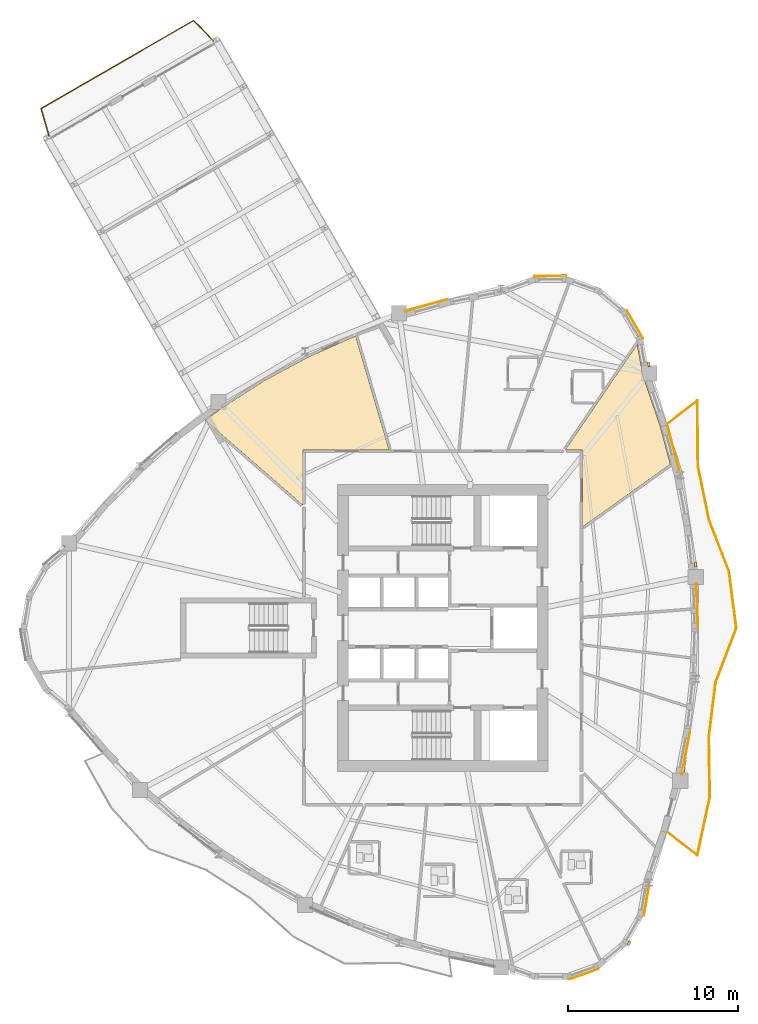
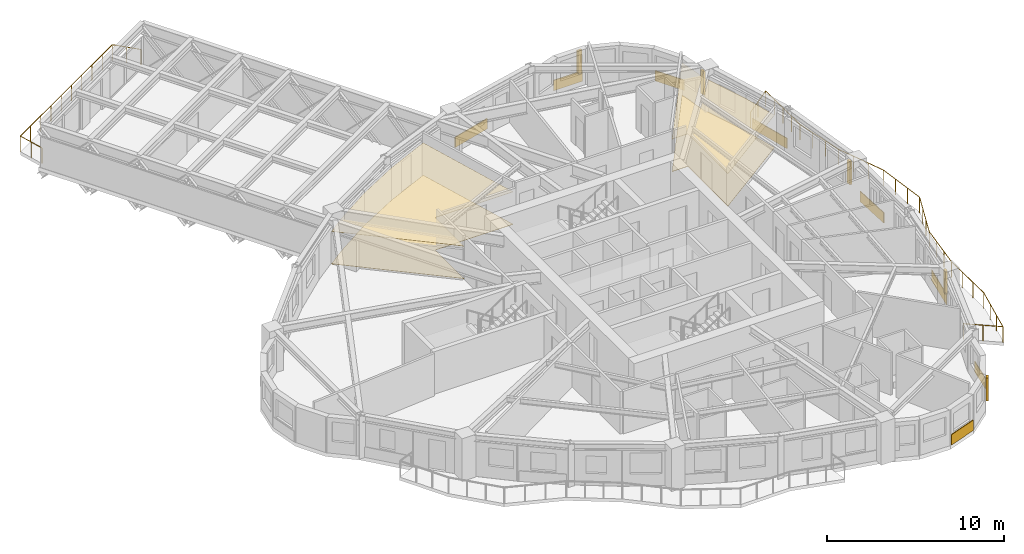
# One storey, part 13 of 14: 12 coverings, 5 shading devices, 2 railings.
"""IFC4 building model written with IfcOpenShell, lengths in metres."""

from ifc_helpers import new_model, si_unit, direction, frame, origin, origin_2d, place, context, subcontext, project, spatial, polyline, rectangle, circle, outline, extrude, source, transform, mapped, material, layer, layer_set, type_object, element, save


model = new_model("IFC4")

# Units and contexts
model_context = context("Model", 3, precision=1e-05, world=origin(), true_north=direction((0.0, 1.0)))
body_context = subcontext(model_context, "Body", "Model", "MODEL_VIEW")
ifc_project = project(units=[si_unit("LENGTHUNIT", "METRE"), si_unit("AREAUNIT", "SQUARE_METRE"), si_unit("VOLUMEUNIT", "CUBIC_METRE"), si_unit("PLANEANGLEUNIT", "RADIAN"), si_unit("MASSUNIT", "GRAM", prefix="KILO")], contexts=[model_context])

# Site, building, storey
site_placement = place(None, origin())
site = spatial("IfcSite", under=ifc_project, at=site_placement, CompositionType="ELEMENT")
building_placement = place(site_placement, origin())
building = spatial("IfcBuilding", under=site, at=building_placement, Name="Qafzar Sky-Pleat Residences", CompositionType="ELEMENT")
storey_placement = place(building_placement, frame((0.0, 0.0, 83.199951171875)))
storey = spatial("IfcBuildingStorey", under=building, at=storey_placement, Name="L24", CompositionType="ELEMENT", Elevation=83.199951171875)

# Coverings
ifc_material_1 = material(Name="Perforated acoustic gypsum board ceiling")
ifc_layer_1 = layer(ifc_material_1, 0.02001953125)
ifc_layer_set_1 = layer_set([ifc_layer_1], Name="Perforated acoustic gypsum board ceiling")
covering_type_1 = type_object("IfcCoveringType", Name="COV-CEIL-ACOUSTIC", PredefinedType="CEILING", material=ifc_layer_set_1)
covering_1_placement = place(storey_placement, frame((0.0, 0.0, 2.239990234375)))
element("IfcCovering", 1, at=covering_1_placement, inside=storey, type_object=covering_type_1, Name="L24 Communal Kitchen Acoustic Ceiling", PredefinedType="CEILING", context=body_context, shape_type="SweptSolid", body=[
    extrude(outline(polyline([(42.14404296875, 40.918701171875), (43.177001953125, 37.89892578125), (43.77392578125, 35.654296875), (38.590087890625, 31.95458984375), (38.590087890625, 36.489990234375), (37.567626953125, 36.489990234375), (41.822265625, 42.736083984375), (42.14404296875, 40.918701171875)])), origin(), (0.0, 0.0, 1.0), 0.02001953125),
])
covering_2_placement = place(storey_placement, frame((0.0, 0.0, 2.239990234375)))
element("IfcCovering", 2, at=covering_2_placement, inside=storey, type_object=covering_type_1, Name="L24 Co-Living Lounge Acoustic Ceiling", PredefinedType="CEILING", context=body_context, shape_type="SweptSolid", body=[
    extrude(outline(polyline([(17.360107421875, 38.9990234375), (19.8251953125, 40.581298828125), (22.4033203125, 41.971923828125), (25.0947265625, 43.17138671875), (25.21435546875, 43.214111328125), (27.196044921875, 36.489990234375), (22.110107421875, 36.489990234375), (22.110107421875, 33.23779296875), (16.352783203125, 38.2392578125), (17.360107421875, 38.9990234375)])), origin(), (0.0, 0.0, 1.0), 0.02001953125),
])
ifc_material_2 = material(Name="Honed porcelain and Riyadh stone tile flooring", Category="masonry")
ifc_layer_2 = layer(ifc_material_2, 0.02001953125)
ifc_layer_set_2 = layer_set([ifc_layer_2], Name="Honed porcelain and Riyadh stone tile flooring")
covering_type_2 = type_object("IfcCoveringType", Name="COV-FLR-PORCELAIN", PredefinedType="FLOORING", material=ifc_layer_set_2)
covering_3_placement = place(storey_placement, origin())
element("IfcCovering", 3, at=covering_3_placement, inside=storey, type_object=covering_type_2, Name="L24 Communal Kitchen Honed Stone Flooring", PredefinedType="FLOORING", context=body_context, shape_type="SweptSolid", body=[
    extrude(outline(polyline([(42.14404296875, 40.918701171875), (43.177001953125, 37.89892578125), (43.77392578125, 35.654296875), (38.590087890625, 31.95458984375), (38.590087890625, 36.489990234375), (37.567626953125, 36.489990234375), (41.822265625, 42.736083984375), (42.14404296875, 40.918701171875)])), origin(), (0.0, 0.0, 1.0), 0.02001953125),
])
covering_4_placement = place(storey_placement, origin())
element("IfcCovering", 4, at=covering_4_placement, inside=storey, type_object=covering_type_2, Name="L24 Co-Living Lounge Honed Stone Flooring", PredefinedType="FLOORING", context=body_context, shape_type="SweptSolid", body=[
    extrude(outline(polyline([(17.360107421875, 38.9990234375), (19.8251953125, 40.581298828125), (22.4033203125, 41.971923828125), (25.0947265625, 43.17138671875), (25.21435546875, 43.214111328125), (27.196044921875, 36.489990234375), (22.110107421875, 36.489990234375), (22.110107421875, 33.23779296875), (16.352783203125, 38.2392578125), (17.360107421875, 38.9990234375)])), origin(), (0.0, 0.0, 1.0), 0.02001953125),
])

# Shading devices
ifc_material_3 = material(Name="Honed Riyadh limestone solar fin", Category="masonry")
ifc_layer_3 = layer(ifc_material_3, 0.139892578125)
ifc_layer_set_3 = layer_set([ifc_layer_3], Name="Honed Riyadh limestone solar fin")
shading_device_type = type_object("IfcShadingDeviceType", Name="SHD-FIN-STONE", PredefinedType="SHUTTER", material=ifc_layer_set_3)
shared_shape_1 = source(origin(), body_context, "Body", "SweptSolid", [
    extrude(rectangle(XDim=0.139892578125, YDim=0.280029296875, at=origin_2d()), origin(), (0.0, 0.0, 1.0), 1.60009765625),
])
for number, where, z_axis, x_axis, name in (
    (5, (41.336669921875, 7.406982421875, 0.60009765625), (0.0, 0.0, 1.0), (0.864908020198, -0.501930390191, 0.0), "L24 Limestone Solar Fin 21"),
    (6, (44.553466796875, 17.66455078125, 0.60009765625), (0.0, 0.0, 1.0), (0.98242577116, -0.186653701171, 0.0), "L24 Limestone Solar Fin 25"),
    (7, (45.25341796875, 29.739501953125, 0.60009765625), (0.0, 0.0, 1.0), (0.993562170996, 0.11328818282, 0.0), "L24 Limestone Solar Fin 29"),
    (8, (42.505126953125, 41.5458984375, 0.60009765625), (0.0, 0.0, 1.0), (0.984674378282, 0.174402892049, 0.0), "L24 Limestone Solar Fin 33"),
    (9, (37.47314453125, 46.80029296875, 0.60009765625), (0.0, 0.0, 1.0), (-0.006821730637, 0.999976731725, 0.0), "L24 Limestone Solar Fin 37"),
):
    element("IfcShadingDevice", number, at=place(storey_placement, frame(where, z_axis=z_axis, x_axis=x_axis)), inside=storey, type_object=shading_device_type, Name=name, PredefinedType="SHUTTER", context=body_context, shape_type="MappedRepresentation", body=[
        mapped(shared_shape_1, transform((0.0, 0.0, 0.0), x_axis=(1.0, 0.0, 0.0), y_axis=(0.0, 1.0, 0.0), z_axis=(0.0, 0.0, 1.0), scale=1.0)),
    ])

# Coverings
ifc_material_4 = material(Name="Honed Riyadh Tuwaiq limestone cladding", Category="masonry")
ifc_layer_4 = layer(ifc_material_4, 0.044921875)
ifc_layer_set_4 = layer_set([ifc_layer_4], Name="Honed Riyadh Tuwaiq limestone cladding")
covering_type_3 = type_object("IfcCoveringType", Name="COV-CLAD-STONE", PredefinedType="CLADDING", material=ifc_layer_set_4)
shared_shape_2 = source(origin(), body_context, "Body", "SweptSolid", [
    extrude(rectangle(XDim=1.88916015625, YDim=0.044921875, at=origin_2d()), origin(), (0.0, 0.0, 1.0), 0.719970703125),
])
for number, where, z_axis, x_axis, name in (
    (10, (38.664794921875, 5.583251953125, 0.02001953125), (0.0, 0.0, 1.0), (0.9414678295, 0.3371028419, 0.0), "L24 Riyadh Limestone Spandrel Cladding 19"),
    (11, (41.69091796875, 43.896728515625, 0.02001953125), (0.0, 0.0, 1.0), (-0.501920570103, 0.864913718996, 0.0), "L24 Riyadh Limestone Spandrel Cladding 34"),
    (12, (36.693603515625, 46.751953125, 0.02001953125), (0.0, 0.0, 1.0), (-0.999976465978, -0.006860575119, 0.0), "L24 Riyadh Limestone Spandrel Cladding 37"),
):
    element("IfcCovering", number, at=place(storey_placement, frame(where, z_axis=z_axis, x_axis=x_axis)), inside=storey, type_object=covering_type_3, Name=name, PredefinedType="CLADDING", context=body_context, shape_type="MappedRepresentation", body=[
        mapped(shared_shape_2, transform((0.0, 0.0, 0.0), x_axis=(1.0, 0.0, 0.0), y_axis=(0.0, 1.0, 0.0), z_axis=(0.0, 0.0, 1.0), scale=1.0)),
    ])
shared_shape_3 = source(origin(), body_context, "Body", "SweptSolid", [
    extrude(rectangle(XDim=1.8369140625, YDim=0.044921875, at=origin_2d()), origin(), (0.0, 0.0, 1.0), 0.719970703125),
])
covering_5_placement = place(storey_placement, frame((42.372802734375, 9.95263671875, 0.02001953125), z_axis=(0.0, 0.0, 1.0), x_axis=(0.174386275202, 0.984677321269, 0.0)))
element("IfcCovering", 13, at=covering_5_placement, inside=storey, type_object=covering_type_3, Name="L24 Riyadh Limestone Spandrel Cladding 22", PredefinedType="CLADDING", context=body_context, shape_type="MappedRepresentation", body=[
    mapped(shared_shape_3, transform((0.0, 0.0, 0.0), x_axis=(1.0, 0.0, 0.0), y_axis=(0.0, 1.0, 0.0), z_axis=(0.0, 0.0, 1.0), scale=1.0)),
])

# Railing
ifc_material_5 = material(Name="Laminated glass and bronze steel balustrade", Category="steel")
railing_type = type_object("IfcRailingType", Name="RAIL-BAL-1100", PredefinedType="BALUSTRADE", material=ifc_material_5)
shared_shape_4 = source(origin(), body_context, "Body", "SweptSolid", [
    extrude(circle(Radius=0.02392578125, at=origin_2d()), frame((0.0, 0.0, 1.076171875), z_axis=(0.791483566765, -0.611190447848, 0.0), x_axis=(0.611190447848, 0.791483566765, 0.0)), (0.0, 0.0, 1.0), 2.27099609375),
    extrude(circle(Radius=0.02392578125, at=origin_2d()), frame((1.79736328125, -1.387939453125, 1.076171875), z_axis=(0.209050174089, 0.977904915988, 0.0), x_axis=(-0.977904915988, 0.209050174089, 0.0)), (0.0, 0.0, 1.0), 3.516357421875),
    extrude(circle(Radius=0.02392578125, at=origin_2d()), frame((2.532470703125, 2.05078125, 1.076171875), z_axis=(-0.014238304586, 0.999898630203, 0.0), x_axis=(-0.999898630203, -0.014238304586, 0.0)), (0.0, 0.0, 1.0), 3.56640625),
    extrude(circle(Radius=0.02392578125, at=origin_2d()), frame((2.481689453125, 5.616943359375, 1.076171875), z_axis=(0.122075961584, 0.992520760288, 0.0), x_axis=(-0.992520760288, 0.122075961584, 0.0)), (0.0, 0.0, 1.0), 3.221923828125),
    extrude(circle(Radius=0.02392578125, at=origin_2d()), frame((2.875, 8.814697265625, 1.076171875), z_axis=(0.356657561187, 0.934235186689, 0.0), x_axis=(-0.934235186689, 0.356657561187, 0.0)), (0.0, 0.0, 1.0), 3.43359375),
    extrude(circle(Radius=0.02392578125, at=origin_2d()), frame((4.099609375, 12.0224609375, 1.076171875), z_axis=(-0.129342278361, 0.991600007578, 0.0), x_axis=(-0.991600007578, -0.129342278361, 0.0)), (0.0, 0.0, 1.0), 3.373046875),
    extrude(circle(Radius=0.02392578125, at=origin_2d()), frame((3.663330078125, 15.3671875, 1.076171875), z_axis=(-0.360150582233, 0.932894183773, 0.0), x_axis=(-0.932894183773, -0.360150582233, 0.0)), (0.0, 0.0, 1.0), 3.281005859375),
    extrude(circle(Radius=0.02392578125, at=origin_2d()), frame((2.481689453125, 18.427978515625, 1.076171875), z_axis=(-0.200222309974, 0.979750492007, 0.0), x_axis=(-0.979750492007, -0.200222309974, 0.0)), (0.0, 0.0, 1.0), 3.245849609375),
    extrude(circle(Radius=0.02392578125, at=origin_2d()), frame((1.831787109375, 21.608154296875, 1.076171875), z_axis=(-0.009000018471, 0.999959499014, 0.0), x_axis=(-0.999959499014, -0.009000018471, 0.0)), (0.0, 0.0, 1.0), 3.824951171875),
    extrude(circle(Radius=0.02392578125, at=origin_2d()), frame((1.79736328125, 25.432861328125, 1.076171875), z_axis=(-0.791483566765, -0.611190447848, 0.0), x_axis=(0.611190447848, -0.791483566765, 0.0)), (0.0, 0.0, 1.0), 2.27099609375),
    extrude(circle(Radius=0.02099609375, at=origin_2d()), origin(), (0.0, 0.0, 1.0), 1.052001953125),
    extrude(circle(Radius=0.02099609375, at=origin_2d()), frame((0.898681640625, -0.69384765625, 0.0)), (0.0, 0.0, 1.0), 1.052001953125),
    extrude(circle(Radius=0.02099609375, at=origin_2d()), frame((1.79736328125, -1.387939453125, 0.0)), (0.0, 0.0, 1.0), 1.052001953125),
    extrude(circle(Radius=0.02099609375, at=origin_2d()), frame((2.04248046875, -0.24169921875, 0.0)), (0.0, 0.0, 1.0), 1.052001953125),
    extrude(circle(Radius=0.02099609375, at=origin_2d()), frame((2.287353515625, 0.904541015625, 0.0)), (0.0, 0.0, 1.0), 1.052001953125),
    extrude(circle(Radius=0.02099609375, at=origin_2d()), frame((2.532470703125, 2.05078125, 0.0)), (0.0, 0.0, 1.0), 1.052001953125),
    extrude(circle(Radius=0.02099609375, at=origin_2d()), frame((2.515625, 3.239501953125, 0.0)), (0.0, 0.0, 1.0), 1.052001953125),
    extrude(circle(Radius=0.02099609375, at=origin_2d()), frame((2.49853515625, 4.42822265625, 0.0)), (0.0, 0.0, 1.0), 1.052001953125),
    extrude(circle(Radius=0.02099609375, at=origin_2d()), frame((2.481689453125, 5.616943359375, 0.0)), (0.0, 0.0, 1.0), 1.052001953125),
    extrude(circle(Radius=0.02099609375, at=origin_2d()), frame((2.61279296875, 6.682861328125, 0.0)), (0.0, 0.0, 1.0), 1.052001953125),
    extrude(circle(Radius=0.02099609375, at=origin_2d()), frame((2.743896484375, 7.748779296875, 0.0)), (0.0, 0.0, 1.0), 1.052001953125),
    extrude(circle(Radius=0.02099609375, at=origin_2d()), frame((2.875, 8.814697265625, 0.0)), (0.0, 0.0, 1.0), 1.052001953125),
    extrude(circle(Radius=0.02099609375, at=origin_2d()), frame((3.283203125, 9.884033203125, 0.0)), (0.0, 0.0, 1.0), 1.052001953125),
    extrude(circle(Radius=0.02099609375, at=origin_2d()), frame((3.69140625, 10.953125, 0.0)), (0.0, 0.0, 1.0), 1.052001953125),
    extrude(circle(Radius=0.02099609375, at=origin_2d()), frame((4.099609375, 12.0224609375, 0.0)), (0.0, 0.0, 1.0), 1.052001953125),
    extrude(circle(Radius=0.02099609375, at=origin_2d()), frame((3.9541015625, 13.137451171875, 0.0)), (0.0, 0.0, 1.0), 1.052001953125),
    extrude(circle(Radius=0.02099609375, at=origin_2d()), frame((3.808837890625, 14.252197265625, 0.0)), (0.0, 0.0, 1.0), 1.052001953125),
    extrude(circle(Radius=0.02099609375, at=origin_2d()), frame((3.663330078125, 15.3671875, 0.0)), (0.0, 0.0, 1.0), 1.052001953125),
    extrude(circle(Radius=0.02099609375, at=origin_2d()), frame((3.26953125, 16.387451171875, 0.0)), (0.0, 0.0, 1.0), 1.052001953125),
    extrude(circle(Radius=0.02099609375, at=origin_2d()), frame((2.87548828125, 17.40771484375, 0.0)), (0.0, 0.0, 1.0), 1.052001953125),
    extrude(circle(Radius=0.02099609375, at=origin_2d()), frame((2.481689453125, 18.427978515625, 0.0)), (0.0, 0.0, 1.0), 1.052001953125),
    extrude(circle(Radius=0.02099609375, at=origin_2d()), frame((2.26513671875, 19.488037109375, 0.0)), (0.0, 0.0, 1.0), 1.052001953125),
    extrude(circle(Radius=0.02099609375, at=origin_2d()), frame((2.04833984375, 20.548095703125, 0.0)), (0.0, 0.0, 1.0), 1.052001953125),
    extrude(circle(Radius=0.02099609375, at=origin_2d()), frame((1.831787109375, 21.608154296875, 0.0)), (0.0, 0.0, 1.0), 1.052001953125),
    extrude(circle(Radius=0.02099609375, at=origin_2d()), frame((1.8232421875, 22.564453125, 0.0)), (0.0, 0.0, 1.0), 1.052001953125),
    extrude(circle(Radius=0.02099609375, at=origin_2d()), frame((1.814453125, 23.5205078125, 0.0)), (0.0, 0.0, 1.0), 1.052001953125),
    extrude(circle(Radius=0.02099609375, at=origin_2d()), frame((1.805908203125, 24.4765625, 0.0)), (0.0, 0.0, 1.0), 1.052001953125),
    extrude(circle(Radius=0.02099609375, at=origin_2d()), frame((1.79736328125, 25.432861328125, 0.0)), (0.0, 0.0, 1.0), 1.052001953125),
    extrude(circle(Radius=0.02099609375, at=origin_2d()), frame((0.898681640625, 24.73876953125, 0.0)), (0.0, 0.0, 1.0), 1.052001953125),
    extrude(circle(Radius=0.02099609375, at=origin_2d()), frame((0.0, 24.044921875, 0.0)), (0.0, 0.0, 1.0), 1.052001953125),
])
railing_1_placement = place(storey_placement, frame((43.5693359375, 13.9775390625, 0.0)))
element("IfcRailing", 14, at=railing_1_placement, inside=storey, type_object=railing_type, Name="L24 Pleated Balcony 1 Balustrade", PredefinedType="BALUSTRADE", context=body_context, shape_type="MappedRepresentation", body=[
    mapped(shared_shape_4, transform((0.0, 0.0, 0.0), x_axis=(1.0, 0.0, 0.0), y_axis=(0.0, 1.0, 0.0), z_axis=(0.0, 0.0, 1.0), scale=1.0)),
])

# Coverings
shared_shape_5 = source(origin(), body_context, "Body", "SweptSolid", [
    extrude(rectangle(XDim=2.58349609375, YDim=0.044921875, at=origin_2d()), origin(), (0.0, 0.0, 1.0), 0.719970703125),
])
covering_6_placement = place(storey_placement, frame((44.690185546875, 18.615478515625, 0.02001953125), z_axis=(0.0, 0.0, 1.0), x_axis=(0.186654257491, 0.982425665463, 0.0)))
element("IfcCovering", 15, at=covering_6_placement, inside=storey, type_object=covering_type_3, Name="L24 Riyadh Limestone Spandrel Cladding 25", PredefinedType="CLADDING", context=body_context, shape_type="MappedRepresentation", body=[
    mapped(shared_shape_5, transform((0.0, 0.0, 0.0), x_axis=(1.0, 0.0, 0.0), y_axis=(0.0, 1.0, 0.0), z_axis=(0.0, 0.0, 1.0), scale=1.0)),
])
shared_shape_6 = source(origin(), body_context, "Body", "SweptSolid", [
    extrude(rectangle(XDim=2.537109375, YDim=0.044921875, at=origin_2d()), origin(), (0.0, 0.0, 1.0), 0.719970703125),
])
covering_7_placement = place(storey_placement, frame((45.356201171875, 27.371337890625, 0.02001953125), z_axis=(0.0, 0.0, 1.0), x_axis=(-0.037957645044, 0.999279348922, 0.0)))
element("IfcCovering", 16, at=covering_7_placement, inside=storey, type_object=covering_type_3, Name="L24 Riyadh Limestone Spandrel Cladding 28", PredefinedType="CLADDING", context=body_context, shape_type="MappedRepresentation", body=[
    mapped(shared_shape_6, transform((0.0, 0.0, 0.0), x_axis=(1.0, 0.0, 0.0), y_axis=(0.0, 1.0, 0.0), z_axis=(0.0, 0.0, 1.0), scale=1.0)),
])
shared_shape_7 = source(origin(), body_context, "Body", "SweptSolid", [
    extrude(rectangle(XDim=2.813720703125, YDim=0.044921875, at=origin_2d()), origin(), (0.0, 0.0, 1.0), 0.719970703125),
])
covering_8_placement = place(storey_placement, frame((43.97314453125, 36.546875, 0.02001953125), z_axis=(0.0, 0.0, 1.0), x_axis=(-0.257049399453, 0.966398264817, 0.0)))
element("IfcCovering", 17, at=covering_8_placement, inside=storey, type_object=covering_type_3, Name="L24 Riyadh Limestone Spandrel Cladding 31", PredefinedType="CLADDING", context=body_context, shape_type="MappedRepresentation", body=[
    mapped(shared_shape_7, transform((0.0, 0.0, 0.0), x_axis=(1.0, 0.0, 0.0), y_axis=(0.0, 1.0, 0.0), z_axis=(0.0, 0.0, 1.0), scale=1.0)),
])
shared_shape_8 = source(origin(), body_context, "Body", "SweptSolid", [
    extrude(rectangle(XDim=2.5859375, YDim=0.044921875, at=origin_2d()), origin(), (0.0, 0.0, 1.0), 0.719970703125),
])
covering_9_placement = place(storey_placement, frame((29.372802734375, 45.029296875, 0.02001953125), z_axis=(0.0, 0.0, 1.0), x_axis=(-0.96305324823, -0.269311048927, 0.0)))
element("IfcCovering", 18, at=covering_9_placement, inside=storey, type_object=covering_type_3, Name="L24 Riyadh Limestone Spandrel Cladding 40", PredefinedType="CLADDING", context=body_context, shape_type="MappedRepresentation", body=[
    mapped(shared_shape_8, transform((0.0, 0.0, 0.0), x_axis=(1.0, 0.0, 0.0), y_axis=(0.0, 1.0, 0.0), z_axis=(0.0, 0.0, 1.0), scale=1.0)),
])

# Railing
shared_shape_9 = source(origin(), body_context, "Body", "SweptSolid", [
    extrude(circle(Radius=0.02392578125, at=origin_2d()), frame((0.0, 0.0, 1.076171875), z_axis=(-0.691565058833, 0.722314176381, 0.0), x_axis=(-0.722314176381, -0.691565058833, 0.0)), (0.0, 0.0, 1.0), 1.683349609375),
    extrude(circle(Radius=0.02392578125, at=origin_2d()), frame((-1.1640625, 1.2158203125, 1.076171875), z_axis=(-0.866025696342, -0.499999493275, 0.0), x_axis=(0.499999493275, -0.866025696342, 0.0)), (0.0, 0.0, 1.0), 10.39990234375),
    extrude(circle(Radius=0.02392578125, at=origin_2d()), frame((-10.170654296875, -3.984130859375, 1.076171875), z_axis=(0.279793912061, -0.960060084981, 0.0), x_axis=(0.960060084981, 0.279793912061, 0.0)), (0.0, 0.0, 1.0), 1.68310546875),
    extrude(circle(Radius=0.02099609375, at=origin_2d()), origin(), (0.0, 0.0, 1.0), 1.052001953125),
    extrude(circle(Radius=0.02099609375, at=origin_2d()), frame((-0.58203125, 0.60791015625, 0.0)), (0.0, 0.0, 1.0), 1.052001953125),
    extrude(circle(Radius=0.02099609375, at=origin_2d()), frame((-1.1640625, 1.2158203125, 0.0)), (0.0, 0.0, 1.0), 1.052001953125),
    extrude(circle(Radius=0.02099609375, at=origin_2d()), frame((-2.164794921875, 0.637939453125, 0.0)), (0.0, 0.0, 1.0), 1.052001953125),
    extrude(circle(Radius=0.02099609375, at=origin_2d()), frame((-3.16552734375, 0.060302734375, 0.0)), (0.0, 0.0, 1.0), 1.052001953125),
    extrude(circle(Radius=0.02099609375, at=origin_2d()), frame((-4.166259765625, -0.517578125, 0.0)), (0.0, 0.0, 1.0), 1.052001953125),
    extrude(circle(Radius=0.02099609375, at=origin_2d()), frame((-5.1669921875, -1.09521484375, 0.0)), (0.0, 0.0, 1.0), 1.052001953125),
    extrude(circle(Radius=0.02099609375, at=origin_2d()), frame((-6.167724609375, -1.673095703125, 0.0)), (0.0, 0.0, 1.0), 1.052001953125),
    extrude(circle(Radius=0.02099609375, at=origin_2d()), frame((-7.16845703125, -2.250732421875, 0.0)), (0.0, 0.0, 1.0), 1.052001953125),
    extrude(circle(Radius=0.02099609375, at=origin_2d()), frame((-8.169189453125, -2.82861328125, 0.0)), (0.0, 0.0, 1.0), 1.052001953125),
    extrude(circle(Radius=0.02099609375, at=origin_2d()), frame((-9.169921875, -3.40625, 0.0)), (0.0, 0.0, 1.0), 1.052001953125),
    extrude(circle(Radius=0.02099609375, at=origin_2d()), frame((-10.170654296875, -3.984130859375, 0.0)), (0.0, 0.0, 1.0), 1.052001953125),
    extrude(circle(Radius=0.02099609375, at=origin_2d()), frame((-9.93505859375, -4.7919921875, 0.0)), (0.0, 0.0, 1.0), 1.052001953125),
    extrude(circle(Radius=0.02099609375, at=origin_2d()), frame((-9.69970703125, -5.60009765625, 0.0)), (0.0, 0.0, 1.0), 1.052001953125),
])
railing_2_placement = place(storey_placement, frame((16.830810546875, 60.6162109375, 0.0)))
element("IfcRailing", 19, at=railing_2_placement, inside=storey, type_object=railing_type, Name="L24 SB-2 Tip Observation Balcony Balustrade", PredefinedType="BALUSTRADE", context=body_context, shape_type="MappedRepresentation", body=[
    mapped(shared_shape_9, transform((0.0, 0.0, 0.0), x_axis=(1.0, 0.0, 0.0), y_axis=(0.0, 1.0, 0.0), z_axis=(0.0, 0.0, 1.0), scale=1.0)),
])

save(model, "model.ifc")
